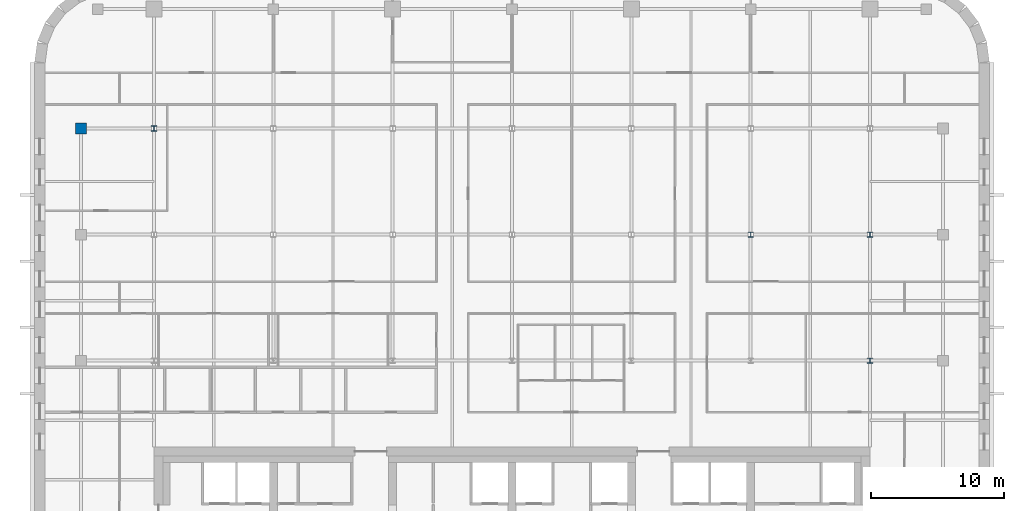
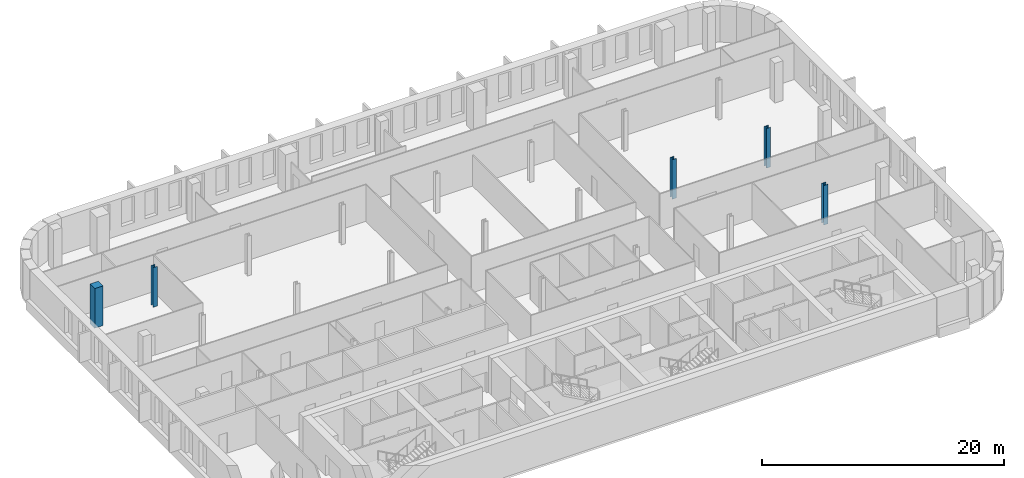
# One storey, part 2 of 15: 5 columns.
"""IFC4 building model written with IfcOpenShell, lengths in metres."""

import ifcopenshell
import ifcopenshell.guid

model = None  # the IFC model being written
_history = None  # IfcOwnerHistory: only IFC2X3 demands one
_inside = {}  # id of a spatial element -> (the spatial element, [elements in it])
_under = {}  # id of a project, library or spatial element -> (it, [spatial elements below it])
_declared = {}  # id of a project -> (the project, [libraries it declares])
_typed = {}  # id of a type object -> (the type object, [elements of that type])
_made_of = {}  # id of a material, layer set ... -> (it, [elements and type objects made of it])


def new_model(schema):
    """Start an empty IFC model of exactly this schema.

    Asked for "IFC4X3", IfcOpenShell would pick the latest addendum, in which some entities
    have other attributes; the version numbers below select the first issue.
    IFC2X3 requires an IfcOwnerHistory on every rooted entity: one is made here for all.
    """
    global model, _history
    if schema == "IFC4X3":
        model = ifcopenshell.file(schema_version=(4, 3, 0, 0))
    else:
        model = ifcopenshell.file(schema=schema)
    _inside.clear()
    _under.clear()
    _declared.clear()
    _typed.clear()
    _made_of.clear()
    _history = None
    if model.schema == "IFC2X3":
        org = make("IfcOrganization", Name="unknown")
        user = make(
            "IfcPersonAndOrganization",
            ThePerson=make("IfcPerson", FamilyName="unknown"),
            TheOrganization=org,
        )
        app = make(
            "IfcApplication",
            ApplicationDeveloper=org,
            Version="unknown",
            ApplicationFullName="unknown",
            ApplicationIdentifier="unknown",
        )
        _history = make(
            "IfcOwnerHistory",
            OwningUser=user,
            OwningApplication=app,
            ChangeAction="ADDED",
            CreationDate=0,
        )
    return model


def make(cls, **values):
    """One entity of the class cls with the attributes given. An attribute that is None is left unset."""
    return model.create_entity(
        cls, **{name: value for name, value in values.items() if value is not None}
    )


def rooted(cls, **values):
    """An entity with a GlobalId (a new one), such as an element, a storey or a relation."""
    return make(cls, GlobalId=ifcopenshell.guid.new(), OwnerHistory=_history, **values)


def si_unit(unit_type, name, prefix=None):
    """IfcSIUnit, for example si_unit("LENGTHUNIT", "METRE", prefix="MILLI")."""
    return make("IfcSIUnit", UnitType=unit_type, Prefix=prefix, Name=name)


def assignment(units):
    """IfcUnitAssignment: the units of a project."""
    return None if units is None else make("IfcUnitAssignment", Units=units)


def point(xyz):
    """IfcCartesianPoint."""
    return None if xyz is None else make("IfcCartesianPoint", Coordinates=xyz)


def direction(xyz):
    """IfcDirection."""
    return None if xyz is None else make("IfcDirection", DirectionRatios=xyz)


def frame(location, z_axis=None, x_axis=None):
    """IfcAxis2Placement3D, a coordinate frame: its origin and axes. An axis left out is left unset."""
    return make(
        "IfcAxis2Placement3D",
        Location=point(location),
        Axis=direction(z_axis),
        RefDirection=direction(x_axis),
    )


def frame_2d(location, x_axis=None):
    """IfcAxis2Placement2D, a coordinate frame in the plane: its origin and x axis."""
    return make(
        "IfcAxis2Placement2D", Location=point(location), RefDirection=direction(x_axis)
    )


def origin():
    """The frame at (0, 0, 0) with its axes left unset."""
    return frame((0.0, 0.0, 0.0))


def origin_2d():
    """The frame at (0, 0) in the plane with its x axis left unset."""
    return frame_2d((0.0, 0.0))


def place(relative_to, where):
    """IfcLocalPlacement: puts the frame where relative to a parent placement (None: the world)."""
    return make(
        "IfcLocalPlacement", PlacementRelTo=relative_to, RelativePlacement=where
    )


def context(
    kind, dimensions, precision=None, world=None, true_north=None, identifier=None
):
    """IfcGeometricRepresentationContext, for example the 3D "Model" context."""
    return make(
        "IfcGeometricRepresentationContext",
        ContextIdentifier=identifier,
        ContextType=kind,
        CoordinateSpaceDimension=dimensions,
        Precision=precision,
        WorldCoordinateSystem=world,
        TrueNorth=true_north,
    )


def subcontext(parent, identifier, kind, view, scale=None):
    """IfcGeometricRepresentationSubContext, for example "Body" below "Model"."""
    return make(
        "IfcGeometricRepresentationSubContext",
        ContextIdentifier=identifier,
        ContextType=kind,
        ParentContext=parent,
        TargetScale=scale,
        TargetView=view,
    )


def project(units=None, contexts=None):
    """IfcProject with its units and contexts."""
    return rooted(
        "IfcProject",
        Name="project",
        RepresentationContexts=contexts,
        UnitsInContext=assignment(units),
    )


def spatial(cls, under=None, at=None, **own):
    """A site, building, storey or space (cls), placed at a placement, below another one or the project."""
    s = rooted(cls, ObjectPlacement=at, **own)
    if under is not None:
        _under.setdefault(under.id(), (under, []))[1].append(s)
    return s


def profile(cls, at=None, kind="AREA", **sizes):
    """A parametric profile (cls). Its sizes go by their IFC names, for example OverallWidth=200.0."""
    return make(cls, ProfileType=kind, Position=at, **sizes)


def rectangle(**sizes):
    """IfcRectangleProfileDef."""
    return profile("IfcRectangleProfileDef", **sizes)


def i_section(**sizes):
    """IfcIShapeProfileDef."""
    return profile("IfcIShapeProfileDef", **sizes)


def extrude(swept, where, along, depth):
    """IfcExtrudedAreaSolid: the profile swept, set in the frame where, extruded along a direction by depth."""
    return make(
        "IfcExtrudedAreaSolid",
        SweptArea=swept,
        Position=where,
        ExtrudedDirection=direction(along),
        Depth=depth,
    )


def shape(context_of_items, identifier, shape_type, items):
    """IfcShapeRepresentation: the items that make up one representation, for example the "Body"."""
    return make(
        "IfcShapeRepresentation",
        ContextOfItems=context_of_items,
        RepresentationIdentifier=identifier,
        RepresentationType=shape_type,
        Items=items,
    )


def material(Name=None, Category=None):
    """IfcMaterial."""
    return make("IfcMaterial", Name=Name, Category=Category)


def material_profile(
    of_material, cross_section, Name=None, Category=None, Priority=None
):
    """IfcMaterialProfile: a cross section and its material."""
    return make(
        "IfcMaterialProfile",
        Name=Name,
        Material=of_material,
        Profile=cross_section,
        Priority=Priority,
        Category=Category,
    )


def profile_set(profiles, Name=None, composite=None):
    """IfcMaterialProfileSet."""
    return make(
        "IfcMaterialProfileSet",
        Name=Name,
        MaterialProfiles=profiles,
        CompositeProfile=composite,
    )


def made_of(thing, what):
    """Note that an element or type object is made of a material, layer set ...; save() writes the relation."""
    if what is not None:
        _made_of.setdefault(what.id(), (what, []))[1].append(thing)
    return thing


def type_object(cls, material=None, **own):
    """A type object (cls), such as IfcWallType, which elements share."""
    return made_of(rooted(cls, **own), material)


def element(
    cls,
    number,
    at=None,
    inside=None,
    cuts=None,
    type_object=None,
    material=None,
    context=None,
    identifier="Body",
    shape_type=None,
    held_by="IfcProductDefinitionShape",
    body=None,
    shapes=None,
    **own,
):
    """One element of the class cls, such as IfcWall. Its Tag is "e" and its number.

    at: its placement. inside: the storey or other place that contains it. cuts: it is an
    opening in that element (IfcRelVoidsElement). A single representation is given by context,
    identifier, shape_type and body (its items); several are given by shapes. held_by: the class
    of the entity that holds the representations. save() writes the other relations.
    """
    e = rooted(cls, Tag="e%d" % number, ObjectPlacement=at, **own)
    if body is not None:
        shapes = [shape(context, identifier, shape_type, body)]
    if shapes is not None:
        e.Representation = make(held_by, Representations=shapes)
    if inside is not None:
        _inside.setdefault(inside.id(), (inside, []))[1].append(e)
    if cuts is not None:
        rooted(
            "IfcRelVoidsElement", RelatingBuildingElement=cuts, RelatedOpeningElement=e
        )
    if type_object is not None:
        _typed.setdefault(type_object.id(), (type_object, []))[1].append(e)
    return made_of(e, material)


def aggregate(whole, parts):
    """IfcRelAggregates: a whole, such as a stair, and the parts it consists of."""
    return rooted("IfcRelAggregates", RelatingObject=whole, RelatedObjects=parts)


def save(model, path):
    """Write the relations noted so far, then the file.

    IfcRelAggregates (storeys below a building ...), IfcRelContainedInSpatialStructure (elements
    in a storey), IfcRelDefinesByType, IfcRelAssociatesMaterial and IfcRelDeclares: one each for
    every whole, place, type object, material and project.
    """
    for whole, parts in _under.values():
        aggregate(whole, parts)
    for where, things in _inside.values():
        rooted(
            "IfcRelContainedInSpatialStructure",
            RelatedElements=things,
            RelatingStructure=where,
        )
    for kind, things in _typed.values():
        rooted("IfcRelDefinesByType", RelatedObjects=things, RelatingType=kind)
    for what, things in _made_of.values():
        rooted("IfcRelAssociatesMaterial", RelatedObjects=things, RelatingMaterial=what)
    for by, libraries in _declared.values():
        rooted("IfcRelDeclares", RelatingContext=by, RelatedDefinitions=libraries)
    model.write(path)


model = new_model("IFC4")

# Units and contexts
model_context = context("Model", 3, precision=1e-05, world=origin(), true_north=direction((0.0, 1.0)))
body_context = subcontext(model_context, "Body", "Model", "MODEL_VIEW")
ifc_project = project(units=[si_unit("LENGTHUNIT", "METRE"), si_unit("AREAUNIT", "SQUARE_METRE"), si_unit("VOLUMEUNIT", "CUBIC_METRE"), si_unit("PLANEANGLEUNIT", "RADIAN"), si_unit("MASSUNIT", "GRAM", prefix="KILO")], contexts=[model_context])

# Site, building, storey
site_placement = place(None, origin())
site = spatial("IfcSite", under=ifc_project, at=site_placement, CompositionType="ELEMENT")
building_placement = place(site_placement, origin())
building = spatial("IfcBuilding", under=site, at=building_placement, Name="Zellij Exchange Tower", CompositionType="ELEMENT")
storey_placement = place(building_placement, frame((0.0, 0.0, 260.5)))
storey = spatial("IfcBuildingStorey", under=building, at=storey_placement, Name="L61", CompositionType="ELEMENT", Elevation=260.5)

# Columns
ifc_material_1 = material(Name="Concrete C50/60", Category="concrete")
ifc_material_profile_1 = material_profile(ifc_material_1, rectangle(XDim=0.800048828125, YDim=0.800048828125, at=origin_2d()), Name="STR-COLUMN RC800x800 C50/60")
ifc_profile_set_1 = profile_set([ifc_material_profile_1], Name="Concrete C50/60")
column_type_1 = type_object("IfcColumnType", Name="STR-COLUMN RC800x800 C50/60", PredefinedType="COLUMN", material=ifc_profile_set_1)
column_placement = place(storey_placement, frame((-32.5, 22.0, 0.0), z_axis=(0.0, 0.0, 1.0), x_axis=(1.0, 0.0, 0.0)))
element("IfcColumn", 1, at=column_placement, inside=storey, type_object=column_type_1, Name="C15", PredefinedType="COLUMN", context=body_context, shape_type="SweptSolid", body=[
    extrude(rectangle(XDim=0.800048828125, YDim=0.800048828125, at=origin_2d()), origin(), (0.0, 0.0, 1.0), 4.0),
])
ifc_material_2 = material(Name="Structural steel ASTM A992 Gr 50", Category="steel")
ifc_material_profile_2 = material_profile(ifc_material_2, i_section(OverallWidth=0.398681640625, OverallDepth=0.385986328125, WebThickness=0.02099609375, FlangeThickness=0.033203125, at=origin_2d()), Name="W14x176")
ifc_profile_set_2 = profile_set([ifc_material_profile_2], Name="Structural steel ASTM A992 Gr 50")
column_type_2 = type_object("IfcColumnType", Name="STR-COLUMN W14x176", PredefinedType="COLUMN", material=ifc_profile_set_2)
for number, where, z_axis, x_axis, name in (
    (2, (27.0, 4.5, 0.0), (0.0, 0.0, 1.0), (1.0, 0.0, 0.0), "C2"),
    (3, (18.0, 14.0, 0.0), (0.0, 0.0, 1.0), (1.0, 0.0, 0.0), "C2"),
    (4, (27.0, 14.0, 0.0), (0.0, 0.0, 1.0), (1.0, 0.0, 0.0), "C2"),
    (5, (-27.0, 22.0, 0.0), (0.0, 0.0, 1.0), (1.0, 0.0, 0.0), "C2"),
):
    element("IfcColumn", number, at=place(storey_placement, frame(where, z_axis=z_axis, x_axis=x_axis)), inside=storey, type_object=column_type_2, Name=name, PredefinedType="COLUMN", context=body_context, shape_type="SweptSolid", body=[
        extrude(i_section(OverallWidth=0.398681640625, OverallDepth=0.385986328125, WebThickness=0.02099609375, FlangeThickness=0.033203125, at=origin_2d()), origin(), (0.0, 0.0, 1.0), 4.0),
    ])

save(model, "model.ifc")
